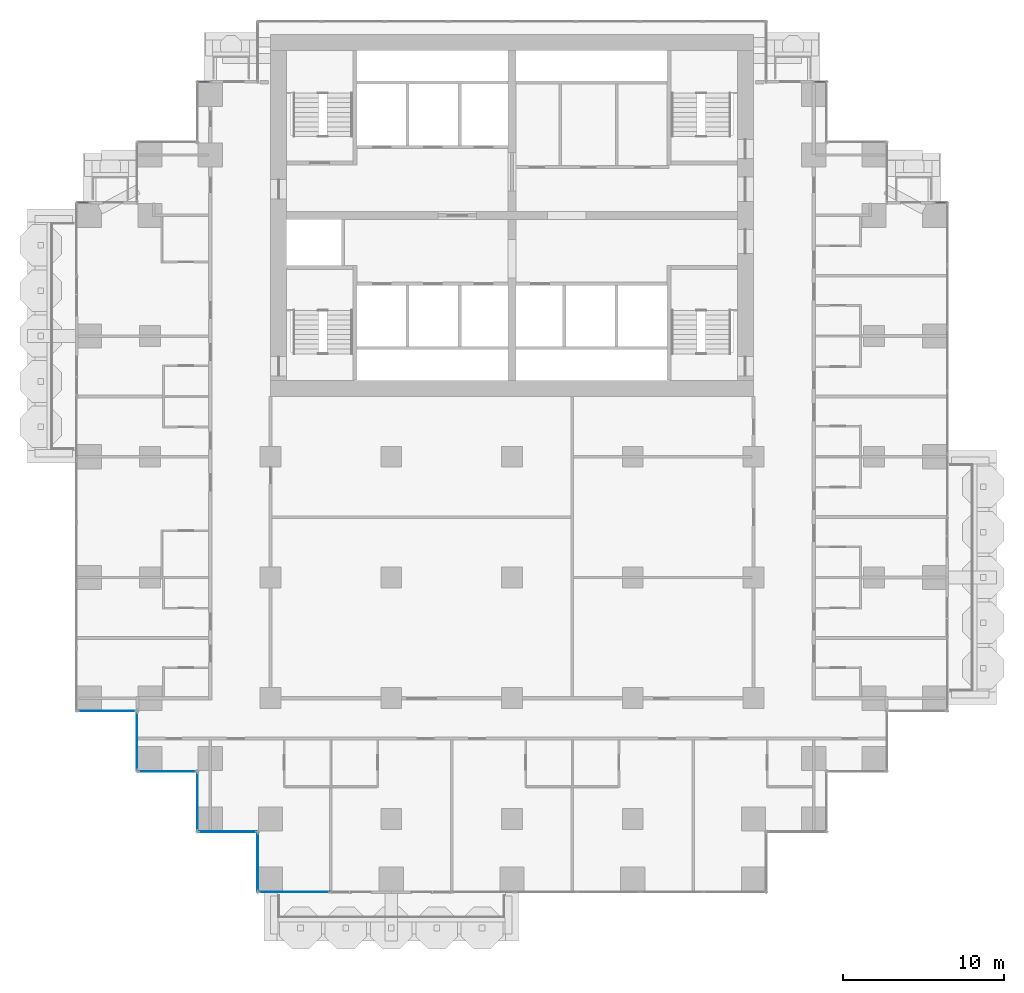
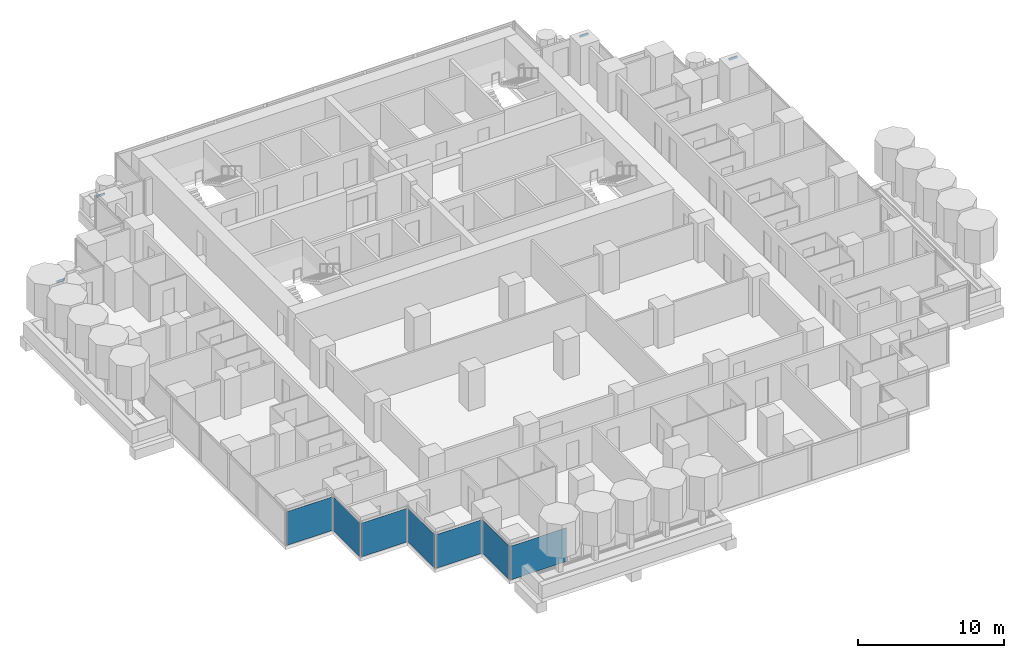
# One storey, part 7 of 18: 7 plates, 4 members, 11 elements without a shape of their own.
"""IFC4 building model written with IfcOpenShell, lengths in metres."""

from ifc_helpers import new_model, si_unit, direction, frame, origin, origin_2d, place, context, subcontext, project, spatial, rectangle, extrude, material, layer, layer_set, material_profile, profile_set, type_object, element, aggregate, save


model = new_model("IFC4")

# Units and contexts
model_context = context("Model", 3, precision=1e-05, world=origin(), true_north=direction((0.0, 1.0)))
body_context = subcontext(model_context, "Body", "Model", "MODEL_VIEW")
ifc_project = project(units=[si_unit("LENGTHUNIT", "METRE"), si_unit("AREAUNIT", "SQUARE_METRE"), si_unit("VOLUMEUNIT", "CUBIC_METRE"), si_unit("PLANEANGLEUNIT", "RADIAN"), si_unit("MASSUNIT", "GRAM", prefix="KILO")], contexts=[model_context])

# Site, building, storey
site_placement = place(None, origin())
site = spatial("IfcSite", under=ifc_project, at=site_placement, CompositionType="ELEMENT")
building_placement = place(site_placement, origin())
building = spatial("IfcBuilding", under=site, at=building_placement, Name="Pilkhan Gate Tower", CompositionType="ELEMENT")
storey_placement = place(building_placement, frame((0.0, 0.0, 82.39990234375)))
storey = spatial("IfcBuildingStorey", under=building, at=storey_placement, Name="L19", CompositionType="ELEMENT", Elevation=82.39990234375)

# Curtain wall, member
ifc_material_1 = material(Name="Pale anodised aluminium, clear low-iron double glazing", Category="aluminium")
curtain_wall_type = type_object("IfcCurtainWallType", Name="Hotel unitised curtain wall CW-H", PredefinedType="USERDEFINED", material=ifc_material_1)
curtain_wall_1_placement = place(storey_placement, origin())
curtain_wall_1 = element("IfcCurtainWall", 1, at=curtain_wall_1_placement, inside=storey, type_object=curtain_wall_type, Name="Hotel unitised curtain wall CW-H L19 N", ObjectType="UNITISED CURTAIN WALL", PredefinedType="USERDEFINED")
ifc_material_2 = material(Name="Pale anodised aluminium", Category="aluminium")
ifc_material_profile = material_profile(ifc_material_2, rectangle(XDim=0.06494140625, YDim=0.179931640625, at=origin_2d()), Name="Transom 180x65")
ifc_profile_set = profile_set([ifc_material_profile], Name="Pale anodised aluminium")
member_type = type_object("IfcMemberType", Name="Transom CW-H 180x65", PredefinedType="USERDEFINED", material=ifc_profile_set)
member_1_placement = place(storey_placement, frame((101.31494140625, 83.294921875, 2.91015625), z_axis=(1.0, 0.0, 0.0), x_axis=(0.0, 1.0, 0.0)))
member_1 = element("IfcMember", 2, at=member_1_placement, type_object=member_type, Name="CW-H transom 1", ObjectType="TRANSOM", PredefinedType="USERDEFINED", context=body_context, shape_type="SweptSolid", body=[
    extrude(rectangle(XDim=0.06494140625, YDim=0.179931640625, at=origin_2d()), origin(), (0.0, 0.0, 1.0), 0.6650390625),
])
aggregate(curtain_wall_1, [member_1])

curtain_wall_2_placement = place(storey_placement, origin())
curtain_wall_2 = element("IfcCurtainWall", 3, at=curtain_wall_2_placement, inside=storey, type_object=curtain_wall_type, Name="Hotel unitised curtain wall CW-H L19 N", ObjectType="UNITISED CURTAIN WALL", PredefinedType="USERDEFINED")
member_2_placement = place(storey_placement, frame((93.81494140625, 90.794921875, 2.91015625), z_axis=(1.0, 0.0, 0.0), x_axis=(0.0, 1.0, 0.0)))
member_2 = element("IfcMember", 4, at=member_2_placement, type_object=member_type, Name="CW-H transom 1", ObjectType="TRANSOM", PredefinedType="USERDEFINED", context=body_context, shape_type="SweptSolid", body=[
    extrude(rectangle(XDim=0.06494140625, YDim=0.179931640625, at=origin_2d()), origin(), (0.0, 0.0, 1.0), 0.6650390625),
])
aggregate(curtain_wall_2, [member_2])

curtain_wall_3_placement = place(storey_placement, origin())
curtain_wall_3 = element("IfcCurtainWall", 5, at=curtain_wall_3_placement, inside=storey, type_object=curtain_wall_type, Name="Hotel unitised curtain wall CW-H L19 N", ObjectType="UNITISED CURTAIN WALL", PredefinedType="USERDEFINED")
member_3_placement = place(storey_placement, frame((55.52001953125, 90.794921875, 2.91015625), z_axis=(1.0, 0.0, 0.0), x_axis=(0.0, 1.0, 0.0)))
member_3 = element("IfcMember", 6, at=member_3_placement, type_object=member_type, Name="CW-H transom 1", ObjectType="TRANSOM", PredefinedType="USERDEFINED", context=body_context, shape_type="SweptSolid", body=[
    extrude(rectangle(XDim=0.06494140625, YDim=0.179931640625, at=origin_2d()), origin(), (0.0, 0.0, 1.0), 0.6650390625),
])
aggregate(curtain_wall_3, [member_3])

curtain_wall_4_placement = place(storey_placement, origin())
curtain_wall_4 = element("IfcCurtainWall", 7, at=curtain_wall_4_placement, inside=storey, type_object=curtain_wall_type, Name="Hotel unitised curtain wall CW-H L19 N", ObjectType="UNITISED CURTAIN WALL", PredefinedType="USERDEFINED")
member_4_placement = place(storey_placement, frame((48.02001953125, 83.294921875, 2.91015625), z_axis=(1.0, 0.0, 0.0), x_axis=(0.0, 1.0, 0.0)))
member_4 = element("IfcMember", 8, at=member_4_placement, type_object=member_type, Name="CW-H transom 1", ObjectType="TRANSOM", PredefinedType="USERDEFINED", context=body_context, shape_type="SweptSolid", body=[
    extrude(rectangle(XDim=0.06494140625, YDim=0.179931640625, at=origin_2d()), origin(), (0.0, 0.0, 1.0), 0.6650390625),
])
aggregate(curtain_wall_4, [member_4])

# Curtain wall, plate
curtain_wall_5_placement = place(storey_placement, origin())
curtain_wall_5 = element("IfcCurtainWall", 9, at=curtain_wall_5_placement, inside=storey, type_object=curtain_wall_type, Name="Hotel unitised curtain wall CW-H L19 S", ObjectType="UNITISED CURTAIN WALL", PredefinedType="USERDEFINED")
ifc_material_3 = material(Name="Clear low-iron double glazing", Category="glass")
ifc_layer = layer(ifc_material_3, 0.035888671875)
ifc_layer_set = layer_set([ifc_layer], Name="Glass panel CW-H 36")
plate_type = type_object("IfcPlateType", Name="Glass panel CW-H 36", PredefinedType="CURTAIN_PANEL", material=ifc_layer_set)
plate_1_placement = place(storey_placement, frame((49.830078125, 51.705078125, 0.0), z_axis=(0.0, 0.0, 1.0), x_axis=(1.0, 0.0, 0.0)))
plate_1 = element("IfcPlate", 10, at=plate_1_placement, type_object=plate_type, Name="CW-H panel 1", PredefinedType="CURTAIN_PANEL", context=body_context, shape_type="SweptSolid", body=[
    extrude(rectangle(XDim=3.6201171875, YDim=0.035888671875, at=origin_2d()), origin(), (0.0, 0.0, 1.0), 2.820068359375),
])
aggregate(curtain_wall_5, [plate_1])

curtain_wall_6_placement = place(storey_placement, origin())
curtain_wall_6 = element("IfcCurtainWall", 11, at=curtain_wall_6_placement, inside=storey, type_object=curtain_wall_type, Name="Hotel unitised curtain wall CW-H L19 W", ObjectType="UNITISED CURTAIN WALL", PredefinedType="USERDEFINED")
plate_2_placement = place(storey_placement, frame((51.705078125, 49.830078125, 0.0), z_axis=(0.0, 0.0, 1.0), x_axis=(0.0, 1.0, 0.0)))
plate_2 = element("IfcPlate", 12, at=plate_2_placement, type_object=plate_type, Name="CW-H panel 1", PredefinedType="CURTAIN_PANEL", context=body_context, shape_type="SweptSolid", body=[
    extrude(rectangle(XDim=3.6201171875, YDim=0.035888671875, at=origin_2d()), origin(), (0.0, 0.0, 1.0), 2.820068359375),
])
aggregate(curtain_wall_6, [plate_2])

curtain_wall_7_placement = place(storey_placement, origin())
curtain_wall_7 = element("IfcCurtainWall", 13, at=curtain_wall_7_placement, inside=storey, type_object=curtain_wall_type, Name="Hotel unitised curtain wall CW-H L19 S", ObjectType="UNITISED CURTAIN WALL", PredefinedType="USERDEFINED")
plate_3_placement = place(storey_placement, frame((53.580078125, 47.955078125, 0.0), z_axis=(0.0, 0.0, 1.0), x_axis=(1.0, 0.0, 0.0)))
plate_3 = element("IfcPlate", 14, at=plate_3_placement, type_object=plate_type, Name="CW-H panel 1", PredefinedType="CURTAIN_PANEL", context=body_context, shape_type="SweptSolid", body=[
    extrude(rectangle(XDim=3.6201171875, YDim=0.035888671875, at=origin_2d()), origin(), (0.0, 0.0, 1.0), 2.820068359375),
])
aggregate(curtain_wall_7, [plate_3])

curtain_wall_8_placement = place(storey_placement, origin())
curtain_wall_8 = element("IfcCurtainWall", 15, at=curtain_wall_8_placement, inside=storey, type_object=curtain_wall_type, Name="Hotel unitised curtain wall CW-H L19 W", ObjectType="UNITISED CURTAIN WALL", PredefinedType="USERDEFINED")
plate_4_placement = place(storey_placement, frame((55.455078125, 46.080078125, 0.0), z_axis=(0.0, 0.0, 1.0), x_axis=(0.0, 1.0, 0.0)))
plate_4 = element("IfcPlate", 16, at=plate_4_placement, type_object=plate_type, Name="CW-H panel 1", PredefinedType="CURTAIN_PANEL", context=body_context, shape_type="SweptSolid", body=[
    extrude(rectangle(XDim=3.6201171875, YDim=0.035888671875, at=origin_2d()), origin(), (0.0, 0.0, 1.0), 2.820068359375),
])
aggregate(curtain_wall_8, [plate_4])

curtain_wall_9_placement = place(storey_placement, origin())
curtain_wall_9 = element("IfcCurtainWall", 17, at=curtain_wall_9_placement, inside=storey, type_object=curtain_wall_type, Name="Hotel unitised curtain wall CW-H L19 S", ObjectType="UNITISED CURTAIN WALL", PredefinedType="USERDEFINED")
plate_5_placement = place(storey_placement, frame((57.330078125, 44.205078125, 0.0), z_axis=(0.0, 0.0, 1.0), x_axis=(1.0, 0.0, 0.0)))
plate_5 = element("IfcPlate", 18, at=plate_5_placement, type_object=plate_type, Name="CW-H panel 1", PredefinedType="CURTAIN_PANEL", context=body_context, shape_type="SweptSolid", body=[
    extrude(rectangle(XDim=3.6201171875, YDim=0.035888671875, at=origin_2d()), origin(), (0.0, 0.0, 1.0), 2.820068359375),
])
aggregate(curtain_wall_9, [plate_5])

curtain_wall_10_placement = place(storey_placement, origin())
curtain_wall_10 = element("IfcCurtainWall", 19, at=curtain_wall_10_placement, inside=storey, type_object=curtain_wall_type, Name="Hotel unitised curtain wall CW-H L19 W", ObjectType="UNITISED CURTAIN WALL", PredefinedType="USERDEFINED")
plate_6_placement = place(storey_placement, frame((59.205078125, 42.330078125, 0.0), z_axis=(0.0, 0.0, 1.0), x_axis=(0.0, 1.0, 0.0)))
plate_6 = element("IfcPlate", 20, at=plate_6_placement, type_object=plate_type, Name="CW-H panel 1", PredefinedType="CURTAIN_PANEL", context=body_context, shape_type="SweptSolid", body=[
    extrude(rectangle(XDim=3.6201171875, YDim=0.035888671875, at=origin_2d()), origin(), (0.0, 0.0, 1.0), 2.820068359375),
])
aggregate(curtain_wall_10, [plate_6])

curtain_wall_11_placement = place(storey_placement, origin())
curtain_wall_11 = element("IfcCurtainWall", 21, at=curtain_wall_11_placement, inside=storey, type_object=curtain_wall_type, Name="Hotel unitised curtain wall CW-H L19 S", ObjectType="UNITISED CURTAIN WALL", PredefinedType="USERDEFINED")
plate_7_placement = place(storey_placement, frame((61.4775390625, 40.455078125, 0.0), z_axis=(0.0, 0.0, 1.0), x_axis=(1.0, 0.0, 0.0)))
plate_7 = element("IfcPlate", 22, at=plate_7_placement, type_object=plate_type, Name="CW-H panel 1", PredefinedType="CURTAIN_PANEL", context=body_context, shape_type="SweptSolid", body=[
    extrude(rectangle(XDim=4.4150390625, YDim=0.035888671875, at=origin_2d()), origin(), (0.0, 0.0, 1.0), 2.820068359375),
])
aggregate(curtain_wall_11, [plate_7])

save(model, "model.ifc")
